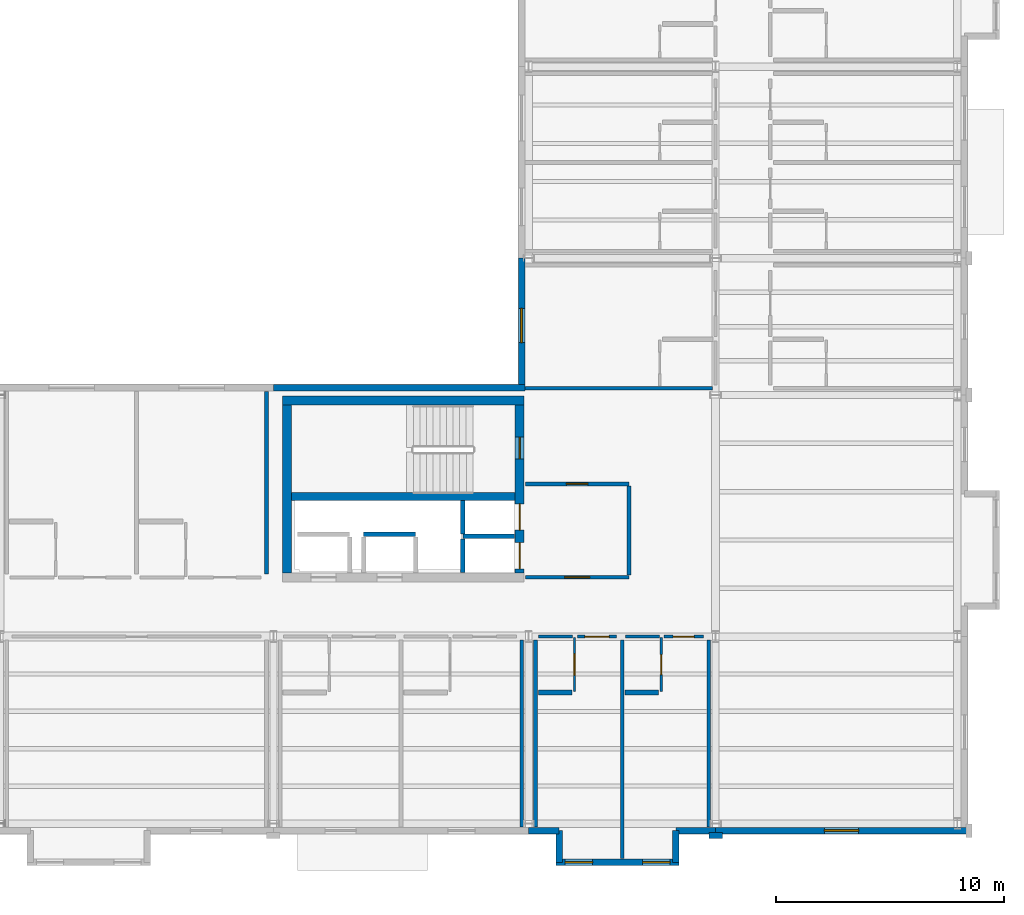
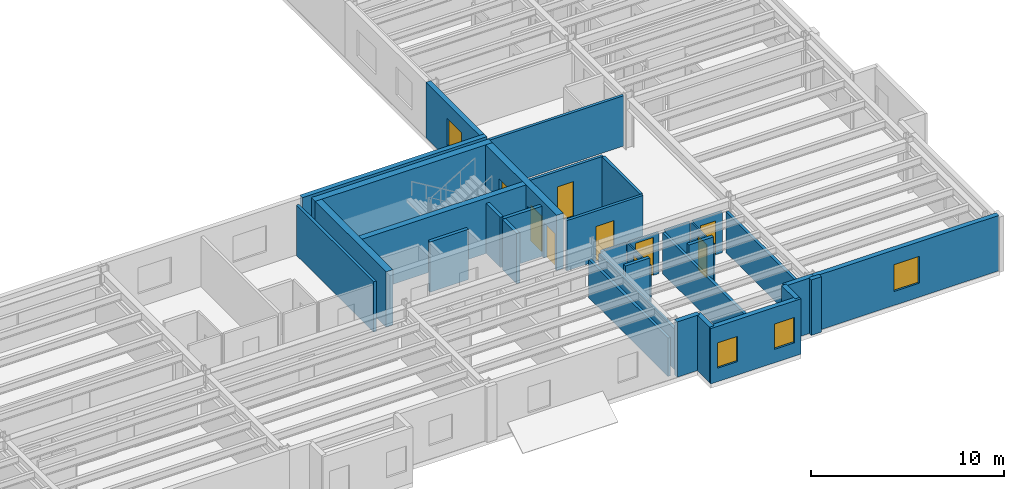
# One storey, part 9 of 17: 34 walls, 9 doors, 4 windows, 13 openings.
"""IFC4 building model written with IfcOpenShell, lengths in metres."""

from ifc_helpers import new_model, si_unit, direction, frame, frame_2d, origin, place, context, subcontext, project, spatial, rectangle, extrude, material, layer, layer_set, type_object, element, fill, save


model = new_model("IFC4")

# Units and contexts
model_context = context("Model", 3, precision=1e-05, world=origin(), true_north=direction((0.0, 1.0)))
body_context = subcontext(model_context, "Body", "Model", "MODEL_VIEW")
ifc_project = project(units=[si_unit("LENGTHUNIT", "METRE"), si_unit("AREAUNIT", "SQUARE_METRE"), si_unit("VOLUMEUNIT", "CUBIC_METRE"), si_unit("PLANEANGLEUNIT", "RADIAN"), si_unit("MASSUNIT", "GRAM", prefix="KILO")], contexts=[model_context])

# Site, building, storey
site_placement = place(None, origin())
site = spatial("IfcSite", under=ifc_project, at=site_placement, CompositionType="ELEMENT")
building_placement = place(site_placement, origin())
building = spatial("IfcBuilding", under=site, at=building_placement, Name="Sollismere Congress Hotel", CompositionType="ELEMENT")
storey_placement = place(building_placement, frame((0.0, 0.0, 41.10009765625)))
storey = spatial("IfcBuildingStorey", under=building, at=storey_placement, Name="L10", CompositionType="ELEMENT", Elevation=41.10009765625)

# Walls
ifc_material_1 = material(Name="Colorado Buff Sandstone Rainscreen on Insulated Backup", Category="masonry")
ifc_layer_1 = layer(ifc_material_1, 0.284912109375, Name="Colorado Buff Sandstone Rainscreen on Insulated Backup")
ifc_layer_set_1 = layer_set([ifc_layer_1], Name="Colorado Buff Sandstone Rainscreen on Insulated Backup")
wall_type_1 = type_object("IfcWallType", Name="WL-EXT285", PredefinedType="STANDARD", material=ifc_layer_set_1)
wall_1_placement = place(storey_placement, frame((147.199951171875, -0.31005859375, 0.0), z_axis=(0.0, 0.0, 1.0), x_axis=(1.0, 0.0, 0.0)))
element("IfcWall", 1, at=wall_1_placement, inside=storey, type_object=wall_type_1, Name="Exterior wall EW-L10-959", PredefinedType="STANDARD", context=body_context, shape_type="SweptSolid", body=[
    extrude(rectangle(XDim=1.340087890625, YDim=0.284912109375, at=frame_2d((0.669921875, 0.0))), origin(), (0.0, 0.0, 1.0), 3.5),
])
wall_2_placement = place(storey_placement, frame((153.659912109375, -0.31005859375, 0.0), z_axis=(0.0, 0.0, 1.0), x_axis=(1.0, 0.0, 0.0)))
element("IfcWall", 2, at=wall_2_placement, inside=storey, type_object=wall_type_1, Name="Exterior wall EW-L10-960", PredefinedType="STANDARD", context=body_context, shape_type="SweptSolid", body=[
    extrude(rectangle(XDim=1.739990234375, YDim=0.284912109375, at=frame_2d((0.8701171875, 0.0))), origin(), (0.0, 0.0, 1.0), 3.5),
])

# Wall, openings, windows
wall_3_placement = place(storey_placement, frame((148.39990234375, -1.699951171875, 0.0), z_axis=(0.0, 0.0, 1.0), x_axis=(1.0, 0.0, 0.0)))
wall_3 = element("IfcWall", 3, at=wall_3_placement, inside=storey, type_object=wall_type_1, Name="Exterior wall EW-L10-961", PredefinedType="STANDARD", context=body_context, shape_type="SweptSolid", body=[
    extrude(rectangle(XDim=5.400146484375, YDim=0.284912109375, at=frame_2d((2.7001953125, 0.0))), origin(), (0.0, 0.0, 1.0), 3.5),
])
opening_1_placement = place(wall_3_placement, frame((0.39990234375, 0.0, 0.85009765625)))
opening_1 = element("IfcOpeningElement", 4, at=opening_1_placement, cuts=wall_3, Name="Opening W-L10-687", PredefinedType="OPENING", context=body_context, shape_type="SweptSolid", body=[
    extrude(rectangle(XDim=1.199951171875, YDim=1.60009765625, at=frame_2d((0.60009765625, 0.800048828125))), frame((0.0, 0.15234375, 0.0), z_axis=(0.0, -1.0, 0.0), x_axis=(1.0, 0.0, 0.0)), (0.0, 0.0, 1.0), 0.304931640625),
])
opening_2_placement = place(wall_3_placement, frame((3.800048828125, 0.0, 0.85009765625)))
opening_2 = element("IfcOpeningElement", 5, at=opening_2_placement, cuts=wall_3, Name="Opening W-L10-688", PredefinedType="OPENING", context=body_context, shape_type="SweptSolid", body=[
    extrude(rectangle(XDim=1.199951171875, YDim=1.60009765625, at=frame_2d((0.60009765625, 0.800048828125))), frame((0.0, 0.15234375, 0.0), z_axis=(0.0, -1.0, 0.0), x_axis=(1.0, 0.0, 0.0)), (0.0, 0.0, 1.0), 0.304931640625),
])
ifc_material_2 = material(Name="Thermally Broken Bronze Aluminum & Low-E Glass", Category="aluminium")
window_type_1 = type_object("IfcWindowType", Name="WN-P120x160", PartitioningType="SINGLE_PANEL", PredefinedType="WINDOW", material=ifc_material_2)
window_1_placement = place(opening_1_placement, origin())
window_1 = element("IfcWindow", 6, at=window_1_placement, inside=storey, type_object=window_type_1, Name="WIN-W-L10-687", OverallHeight=1.60009765625, OverallWidth=1.199951171875, PartitioningType="SINGLE_PANEL", PredefinedType="WINDOW", context=body_context, shape_type="SweptSolid", body=[
    extrude(rectangle(XDim=1.199951171875, YDim=1.60009765625, at=frame_2d((0.60009765625, 0.800048828125))), frame((0.0, 0.030029296875, 0.0), z_axis=(0.0, -1.0, 0.0), x_axis=(1.0, 0.0, 0.0)), (0.0, 0.0, 1.0), 0.06005859375),
])
fill(opening_1, window_1)
window_2_placement = place(opening_2_placement, origin())
window_2 = element("IfcWindow", 7, at=window_2_placement, inside=storey, type_object=window_type_1, Name="WIN-W-L10-688", OverallHeight=1.60009765625, OverallWidth=1.199951171875, PartitioningType="SINGLE_PANEL", PredefinedType="WINDOW", context=body_context, shape_type="SweptSolid", body=[
    extrude(rectangle(XDim=1.199951171875, YDim=1.60009765625, at=frame_2d((0.60009765625, 0.800048828125))), frame((0.0, 0.030029296875, 0.0), z_axis=(0.0, -1.0, 0.0), x_axis=(1.0, 0.0, 0.0)), (0.0, 0.0, 1.0), 0.06005859375),
])
fill(opening_2, window_2)

# Walls
for number, where, z_axis, x_axis, name in (
    (8, (148.5400390625, -0.31005859375, 0.0), (0.0, 0.0, 1.0), (0.0, -1.0, 0.0), "Exterior wall EW-L10-962"),
    (9, (153.659912109375, -1.699951171875, 0.0), (0.0, 0.0, 1.0), (0.0, 1.0, 0.0), "Exterior wall EW-L10-963"),
):
    element("IfcWall", number, at=place(storey_placement, frame(where, z_axis=z_axis, x_axis=x_axis)), inside=storey, type_object=wall_type_1, Name=name, PredefinedType="STANDARD", context=body_context, shape_type="SweptSolid", body=[
        extrude(rectangle(XDim=1.389892578125, YDim=0.284912109375, at=frame_2d((0.69482421875, 0.0))), origin(), (0.0, 0.0, 1.0), 3.5),
    ])

# Wall, opening, window
wall_4_placement = place(storey_placement, frame((155.39990234375, -0.31005859375, 0.0), z_axis=(0.0, 0.0, 1.0), x_axis=(1.0, 0.0, 0.0)))
wall_4 = element("IfcWall", 10, at=wall_4_placement, inside=storey, type_object=wall_type_1, Name="Exterior wall EW-L10-964", PredefinedType="STANDARD", context=body_context, shape_type="SweptSolid", body=[
    extrude(rectangle(XDim=11.050048828125, YDim=0.284912109375, at=frame_2d((5.52490234375, 0.0))), origin(), (0.0, 0.0, 1.0), 3.5),
])
opening_3_placement = place(wall_4_placement, frame((4.77490234375, 0.0, 0.8798828125)))
opening_3 = element("IfcOpeningElement", 11, at=opening_3_placement, cuts=wall_4, Name="Opening W-L10-689", PredefinedType="OPENING", context=body_context, shape_type="SweptSolid", body=[
    extrude(rectangle(XDim=1.5, YDim=1.699951171875, at=frame_2d((0.75, 0.85009765625))), frame((0.0, 0.15234375, 0.0), z_axis=(0.0, -1.0, 0.0), x_axis=(1.0, 0.0, 0.0)), (0.0, 0.0, 1.0), 0.304931640625),
])
window_type_2 = type_object("IfcWindowType", Name="WN-P150x170", PartitioningType="SINGLE_PANEL", PredefinedType="WINDOW", material=ifc_material_2)
window_3_placement = place(opening_3_placement, origin())
window_3 = element("IfcWindow", 12, at=window_3_placement, inside=storey, type_object=window_type_2, Name="WIN-W-L10-689", OverallHeight=1.699951171875, OverallWidth=1.5, PartitioningType="SINGLE_PANEL", PredefinedType="WINDOW", context=body_context, shape_type="SweptSolid", body=[
    extrude(rectangle(XDim=1.5, YDim=1.699951171875, at=frame_2d((0.75, 0.85009765625))), frame((0.0, 0.030029296875, 0.0), z_axis=(0.0, -1.0, 0.0), x_axis=(1.0, 0.0, 0.0)), (0.0, 0.0, 1.0), 0.06005859375),
])
fill(opening_3, window_3)

# Wall
wall_5_placement = place(storey_placement, frame((147.030029296875, 19.110107421875, 0.0), z_axis=(0.0, 0.0, 1.0), x_axis=(-1.0, 0.0, 0.0)))
element("IfcWall", 13, at=wall_5_placement, inside=storey, type_object=wall_type_1, Name="Exterior wall EW-L10-989", PredefinedType="STANDARD", context=body_context, shape_type="SweptSolid", body=[
    extrude(rectangle(XDim=11.030029296875, YDim=0.284912109375, at=frame_2d((5.51513671875, 0.0))), origin(), (0.0, 0.0, 1.0), 3.5),
])

# Wall, opening, window
wall_6_placement = place(storey_placement, frame((146.889892578125, 19.25439453125, 0.0), z_axis=(0.0, 0.0, 1.0), x_axis=(0.0, 1.0, 0.0)))
wall_6 = element("IfcWall", 14, at=wall_6_placement, inside=storey, type_object=wall_type_1, Name="Exterior wall EW-L10-990", PredefinedType="STANDARD", context=body_context, shape_type="SweptSolid", body=[
    extrude(rectangle(XDim=5.545654296875, YDim=0.284912109375, at=frame_2d((2.77294921875, 0.0))), origin(), (0.0, 0.0, 1.0), 3.5),
])
opening_4_placement = place(wall_6_placement, frame((1.84765625, 0.0, 0.85009765625)))
opening_4 = element("IfcOpeningElement", 15, at=opening_4_placement, cuts=wall_6, Name="Opening W-L10-705", PredefinedType="OPENING", context=body_context, shape_type="SweptSolid", body=[
    extrude(rectangle(XDim=1.5, YDim=1.699951171875, at=frame_2d((0.75, 0.85009765625))), frame((0.0, 0.15234375, 0.0), z_axis=(0.0, -1.0, 0.0), x_axis=(1.0, 0.0, 0.0)), (0.0, 0.0, 1.0), 0.304931640625),
])
window_4_placement = place(opening_4_placement, origin())
window_4 = element("IfcWindow", 16, at=window_4_placement, inside=storey, type_object=window_type_2, Name="WIN-W-L10-705", OverallHeight=1.699951171875, OverallWidth=1.5, PartitioningType="SINGLE_PANEL", PredefinedType="WINDOW", context=body_context, shape_type="SweptSolid", body=[
    extrude(rectangle(XDim=1.5, YDim=1.699951171875, at=frame_2d((0.75, 0.85009765625))), frame((0.0, 0.030029296875, 0.0), z_axis=(0.0, -1.0, 0.0), x_axis=(1.0, 0.0, 0.0)), (0.0, 0.0, 1.0), 0.06005859375),
])
fill(opening_4, window_4)

# Walls
ifc_material_3 = material(Name="Carved Travertine Pilaster & Frieze Assembly", Category="masonry")
ifc_layer_2 = layer(ifc_material_3, 0.260009765625, Name="Carved Travertine Pilaster & Frieze Assembly")
ifc_layer_set_2 = layer_set([ifc_layer_2], Name="Carved Travertine Pilaster & Frieze Assembly")
wall_type_2 = type_object("IfcWallType", Name="WL-PIL280", PredefinedType="ELEMENTEDWALL", material=ifc_layer_set_2)
wall_7_placement = place(storey_placement, frame((155.10009765625, -0.52001953125, 0.0), z_axis=(0.0, 0.0, 1.0), x_axis=(1.0, 0.0, 0.0)))
element("IfcWall", 17, at=wall_7_placement, inside=storey, type_object=wall_type_2, Name="Exterior wall EW-L10-965", PredefinedType="ELEMENTEDWALL", context=body_context, shape_type="SweptSolid", body=[
    extrude(rectangle(XDim=0.599853515625, YDim=0.260009765625, at=frame_2d((0.2998046875, 0.0))), origin(), (0.0, 0.0, 1.0), 3.5),
])
ifc_material_4 = material(Name="Moisture-Resistant Shaft Gypsum Assembly")
ifc_layer_3 = layer(ifc_material_4, 0.199951171875, Name="Moisture-Resistant Shaft Gypsum Assembly")
ifc_layer_set_3 = layer_set([ifc_layer_3], Name="Moisture-Resistant Shaft Gypsum Assembly")
wall_type_3 = type_object("IfcWallType", Name="WL-PLM200", PredefinedType="PLUMBINGWALL", material=ifc_layer_set_3)
wall_8_placement = place(storey_placement, frame((139.955078125, 12.68994140625, 0.0), z_axis=(0.0, 0.0, 1.0), x_axis=(1.0, 0.0, 0.0)))
element("IfcWall", 18, at=wall_8_placement, inside=storey, type_object=wall_type_3, Name="Interior wall IW-L10-0184", PredefinedType="PLUMBINGWALL", context=body_context, shape_type="SweptSolid", body=[
    extrude(rectangle(XDim=2.2900390625, YDim=0.199951171875, at=frame_2d((1.14501953125, 0.0))), origin(), (0.0, 0.0, 1.0), 3.179931640625),
])
wall_9_placement = place(storey_placement, frame((144.31005859375, 12.594970703125, 0.0), z_axis=(0.0, 0.0, 1.0), x_axis=(1.0, 0.0, 0.0)))
element("IfcWall", 19, at=wall_9_placement, inside=storey, type_object=wall_type_3, Name="Interior wall IW-L10-0187", PredefinedType="PLUMBINGWALL", context=body_context, shape_type="SweptSolid", body=[
    extrude(rectangle(XDim=2.27783203125, YDim=0.199951171875, at=frame_2d((1.138916015625, 0.0))), origin(), (0.0, 0.0, 1.0), 3.179931640625),
])
wall_10_placement = place(storey_placement, frame((144.31005859375, 11.011962890625, 0.0), z_axis=(0.0, 0.0, 1.0), x_axis=(0.0, 1.0, 0.0)))
element("IfcWall", 20, at=wall_10_placement, inside=storey, type_object=wall_type_3, Name="Interior wall IW-L10-0188", PredefinedType="PLUMBINGWALL", context=body_context, shape_type="SweptSolid", body=[
    extrude(rectangle(XDim=1.470947265625, YDim=0.199951171875, at=frame_2d((0.7353515625, 0.0))), origin(), (0.0, 0.0, 1.0), 3.179931640625),
])
wall_11_placement = place(storey_placement, frame((144.31005859375, 12.70703125, 0.0), z_axis=(0.0, 0.0, 1.0), x_axis=(0.0, 1.0, 0.0)))
element("IfcWall", 21, at=wall_11_placement, inside=storey, type_object=wall_type_3, Name="Interior wall IW-L10-0189", PredefinedType="PLUMBINGWALL", context=body_context, shape_type="SweptSolid", body=[
    extrude(rectangle(XDim=1.4560546875, YDim=0.199951171875, at=frame_2d((0.72802734375, 0.0))), origin(), (0.0, 0.0, 1.0), 3.179931640625),
])
for number, where, z_axis, x_axis, name in (
    (22, (147.6201171875, 5.75, 0.0), (0.0, 0.0, 1.0), (1.0, 0.0, 0.0), "Interior wall IW-L10-2805"),
    (23, (151.419921875, 5.75, 0.0), (0.0, 0.0, 1.0), (1.0, 0.0, 0.0), "Interior wall IW-L10-2810"),
):
    element("IfcWall", number, at=place(storey_placement, frame(where, z_axis=z_axis, x_axis=x_axis)), inside=storey, type_object=wall_type_3, Name=name, PredefinedType="PLUMBINGWALL", context=body_context, shape_type="SweptSolid", body=[
        extrude(rectangle(XDim=1.469970703125, YDim=0.199951171875, at=frame_2d((0.73486328125, 0.0))), origin(), (0.0, 0.0, 1.0), 3.179931640625),
    ])

# Wall, opening, door
ifc_material_5 = material(Name="Moisture-Resistant Gypsum Partition")
ifc_layer_4 = layer(ifc_material_5, 0.10009765625, Name="Moisture-Resistant Gypsum Partition")
ifc_layer_set_4 = layer_set([ifc_layer_4], Name="Moisture-Resistant Gypsum Partition")
wall_type_4 = type_object("IfcWallType", Name="WL-PRT100", PredefinedType="PARTITIONING", material=ifc_layer_set_4)
wall_12_placement = place(storey_placement, frame((149.2099609375, 5.7900390625, 0.0), z_axis=(0.0, 0.0, 1.0), x_axis=(0.0, 1.0, 0.0)))
wall_12 = element("IfcWall", 24, at=wall_12_placement, inside=storey, type_object=wall_type_4, Name="Interior wall IW-L10-2804", PredefinedType="PARTITIONING", context=body_context, shape_type="SweptSolid", body=[
    extrude(rectangle(XDim=2.369873046875, YDim=0.10009765625, at=frame_2d((1.18505859375, 0.0))), origin(), (0.0, 0.0, 1.0), 2.593017578125),
])
opening_5_placement = place(wall_12_placement, frame((0.7080078125, 0.0, 0.0)))
opening_5 = element("IfcOpeningElement", 25, at=opening_5_placement, cuts=wall_12, Name="Opening D-L10-0991", PredefinedType="OPENING", context=body_context, shape_type="SweptSolid", body=[
    extrude(rectangle(XDim=0.955078125, YDim=2.219970703125, at=frame_2d((0.4775390625, 1.10986328125))), frame((0.0, 0.06005859375, 0.0), z_axis=(0.0, -1.0, 0.0), x_axis=(1.0, 0.0, 0.0)), (0.0, 0.0, 1.0), 0.1201171875),
])
ifc_material_6 = material(Name="Moisture-Sealed Timber Bathroom Door", Category="wood")
door_type_1 = type_object("IfcDoorType", Name="DR-BT08", OperationType="NOTDEFINED", PredefinedType="DOOR", material=ifc_material_6)
door_1_placement = place(opening_5_placement, origin())
door_1 = element("IfcDoor", 26, at=door_1_placement, inside=storey, type_object=door_type_1, Name="En-suite bathroom door D-L10-0991", OperationType="SINGLE_SWING_RIGHT", OverallHeight=2.219970703125, OverallWidth=0.955078125, PredefinedType="DOOR", context=body_context, shape_type="SweptSolid", body=[
    extrude(rectangle(XDim=0.955078125, YDim=2.219970703125, at=frame_2d((0.4775390625, 1.10986328125))), frame((0.0, 0.02490234375, 0.0), z_axis=(0.0, -1.0, 0.0), x_axis=(1.0, 0.0, 0.0)), (0.0, 0.0, 1.0), 0.050048828125),
])
fill(opening_5, door_1)

wall_13_placement = place(storey_placement, frame((153.010009765625, 5.7900390625, 0.0), z_axis=(0.0, 0.0, 1.0), x_axis=(0.0, 1.0, 0.0)))
wall_13 = element("IfcWall", 27, at=wall_13_placement, inside=storey, type_object=wall_type_4, Name="Interior wall IW-L10-2809", PredefinedType="PARTITIONING", context=body_context, shape_type="SweptSolid", body=[
    extrude(rectangle(XDim=2.369873046875, YDim=0.10009765625, at=frame_2d((1.18505859375, 0.0))), origin(), (0.0, 0.0, 1.0), 2.593017578125),
])
opening_6_placement = place(wall_13_placement, frame((0.7451171875, 0.0, 0.0)))
opening_6 = element("IfcOpeningElement", 28, at=opening_6_placement, cuts=wall_13, Name="Opening D-L10-0993", PredefinedType="OPENING", context=body_context, shape_type="SweptSolid", body=[
    extrude(rectangle(XDim=0.8798828125, YDim=2.10009765625, at=frame_2d((0.43994140625, 1.050048828125))), frame((0.0, 0.06005859375, 0.0), z_axis=(0.0, -1.0, 0.0), x_axis=(1.0, 0.0, 0.0)), (0.0, 0.0, 1.0), 0.1201171875),
])
door_type_2 = type_object("IfcDoorType", Name="DR-BT01", OperationType="NOTDEFINED", PredefinedType="DOOR", material=ifc_material_6)
door_2_placement = place(opening_6_placement, origin())
door_2 = element("IfcDoor", 29, at=door_2_placement, inside=storey, type_object=door_type_2, Name="En-suite bathroom door D-L10-0993", OperationType="SINGLE_SWING_RIGHT", OverallHeight=2.10009765625, OverallWidth=0.8798828125, PredefinedType="DOOR", context=body_context, shape_type="SweptSolid", body=[
    extrude(rectangle(XDim=0.8798828125, YDim=2.10009765625, at=frame_2d((0.43994140625, 1.050048828125))), frame((0.0, 0.02490234375, 0.0), z_axis=(0.0, -1.0, 0.0), x_axis=(1.0, 0.0, 0.0)), (0.0, 0.0, 1.0), 0.050048828125),
])
fill(opening_6, door_2)

# Wall
ifc_material_7 = material(Name="Fire-Rated Gypsum Partition")
ifc_layer_5 = layer(ifc_material_7, 0.139892578125, Name="Fire-Rated Gypsum Partition")
ifc_layer_set_5 = layer_set([ifc_layer_5], Name="Fire-Rated Gypsum Partition")
wall_type_5 = type_object("IfcWallType", Name="WL-PRT140R", PredefinedType="PARTITIONING", material=ifc_layer_set_5)
wall_14_placement = place(storey_placement, frame((147.639892578125, 8.199951171875, 0.0), z_axis=(0.0, 0.0, 1.0), x_axis=(1.0, 0.0, 0.0)))
element("IfcWall", 30, at=wall_14_placement, inside=storey, type_object=wall_type_5, Name="Interior wall IW-L10-2800", PredefinedType="PARTITIONING", context=body_context, shape_type="SweptSolid", body=[
    extrude(rectangle(XDim=1.489990234375, YDim=0.139892578125, at=frame_2d((0.7451171875, 0.0))), origin(), (0.0, 0.0, 1.0), 2.593017578125),
])

# Wall, opening, door
wall_15_placement = place(storey_placement, frame((149.330078125, 8.199951171875, 0.0), z_axis=(0.0, 0.0, 1.0), x_axis=(1.0, 0.0, 0.0)))
wall_15 = element("IfcWall", 31, at=wall_15_placement, inside=storey, type_object=wall_type_5, Name="Interior wall IW-L10-2801", PredefinedType="PARTITIONING", context=body_context, shape_type="SweptSolid", body=[
    extrude(rectangle(XDim=1.72998046875, YDim=0.139892578125, at=frame_2d((0.864990234375, 0.0))), origin(), (0.0, 0.0, 1.0), 2.593017578125),
])
opening_7_placement = place(wall_15_placement, frame((0.330078125, 0.0, 0.0)))
opening_7 = element("IfcOpeningElement", 32, at=opening_7_placement, cuts=wall_15, Name="Opening D-L10-0990", PredefinedType="OPENING", context=body_context, shape_type="SweptSolid", body=[
    extrude(rectangle(XDim=1.070068359375, YDim=2.39990234375, at=frame_2d((0.53515625, 1.199951171875))), frame((0.0, 0.079833984375, 0.0), z_axis=(0.0, -1.0, 0.0), x_axis=(1.0, 0.0, 0.0)), (0.0, 0.0, 1.0), 0.159912109375),
])
ifc_material_8 = material(Name="Solid-Core Acoustic Walnut Guestroom Entry Door")
door_type_3 = type_object("IfcDoorType", Name="DR-KY12", OperationType="NOTDEFINED", PredefinedType="DOOR", material=ifc_material_8)
door_3_placement = place(opening_7_placement, origin())
door_3 = element("IfcDoor", 33, at=door_3_placement, inside=storey, type_object=door_type_3, Name="Hotel room entry door D-L10-0990", OperationType="SINGLE_SWING_LEFT", OverallHeight=2.39990234375, OverallWidth=1.070068359375, PredefinedType="DOOR", context=body_context, shape_type="SweptSolid", body=[
    extrude(rectangle(XDim=1.070068359375, YDim=2.39990234375, at=frame_2d((0.53515625, 1.199951171875))), frame((0.0, 0.02490234375, 0.0), z_axis=(0.0, -1.0, 0.0), x_axis=(1.0, 0.0, 0.0)), (0.0, 0.0, 1.0), 0.050048828125),
])
fill(opening_7, door_3)

# Wall
wall_16_placement = place(storey_placement, frame((151.43994140625, 8.199951171875, 0.0), z_axis=(0.0, 0.0, 1.0), x_axis=(1.0, 0.0, 0.0)))
element("IfcWall", 34, at=wall_16_placement, inside=storey, type_object=wall_type_5, Name="Interior wall IW-L10-2806", PredefinedType="PARTITIONING", context=body_context, shape_type="SweptSolid", body=[
    extrude(rectangle(XDim=1.489990234375, YDim=0.139892578125, at=frame_2d((0.7451171875, 0.0))), origin(), (0.0, 0.0, 1.0), 2.593017578125),
])

# Wall, opening, door
wall_17_placement = place(storey_placement, frame((153.1298828125, 8.199951171875, 0.0), z_axis=(0.0, 0.0, 1.0), x_axis=(1.0, 0.0, 0.0)))
wall_17 = element("IfcWall", 35, at=wall_17_placement, inside=storey, type_object=wall_type_5, Name="Interior wall IW-L10-2807", PredefinedType="PARTITIONING", context=body_context, shape_type="SweptSolid", body=[
    extrude(rectangle(XDim=1.730224609375, YDim=0.139892578125, at=frame_2d((0.865234375, 0.0))), origin(), (0.0, 0.0, 1.0), 2.593017578125),
])
opening_8_placement = place(wall_17_placement, frame((0.405029296875, 0.0, 0.0)))
opening_8 = element("IfcOpeningElement", 36, at=opening_8_placement, cuts=wall_17, Name="Opening D-L10-0992", PredefinedType="OPENING", context=body_context, shape_type="SweptSolid", body=[
    extrude(rectangle(XDim=0.919921875, YDim=2.14990234375, at=frame_2d((0.4599609375, 1.074951171875))), frame((0.0, 0.079833984375, 0.0), z_axis=(0.0, -1.0, 0.0), x_axis=(1.0, 0.0, 0.0)), (0.0, 0.0, 1.0), 0.159912109375),
])
door_type_4 = type_object("IfcDoorType", Name="DR-KY01", OperationType="NOTDEFINED", PredefinedType="DOOR", material=ifc_material_8)
door_4_placement = place(opening_8_placement, origin())
door_4 = element("IfcDoor", 37, at=door_4_placement, inside=storey, type_object=door_type_4, Name="Hotel room entry door D-L10-0992", OperationType="SINGLE_SWING_LEFT", OverallHeight=2.14990234375, OverallWidth=0.919921875, PredefinedType="DOOR", context=body_context, shape_type="SweptSolid", body=[
    extrude(rectangle(XDim=0.919921875, YDim=2.14990234375, at=frame_2d((0.4599609375, 1.074951171875))), frame((0.0, 0.02490234375, 0.0), z_axis=(0.0, -1.0, 0.0), x_axis=(1.0, 0.0, 0.0)), (0.0, 0.0, 1.0), 0.050048828125),
])
fill(opening_8, door_4)

ifc_material_9 = material(Name="Fire-Rated Acoustic Gypsum Partition")
ifc_layer_6 = layer(ifc_material_9, 0.1650390625, Name="Fire-Rated Acoustic Gypsum Partition")
ifc_layer_set_6 = layer_set([ifc_layer_6], Name="Fire-Rated Acoustic Gypsum Partition")
wall_type_6 = type_object("IfcWallType", Name="WL-PRT165R", PredefinedType="PARTITIONING", material=ifc_layer_set_6)
wall_18_placement = place(storey_placement, frame((147.050048828125, 10.800048828125, 0.0), z_axis=(0.0, 0.0, 1.0), x_axis=(1.0, 0.0, 0.0)))
wall_18 = element("IfcWall", 38, at=wall_18_placement, inside=storey, type_object=wall_type_6, Name="Interior wall IW-L10-0190", PredefinedType="PARTITIONING", context=body_context, shape_type="SweptSolid", body=[
    extrude(rectangle(XDim=4.550048828125, YDim=0.1650390625, at=frame_2d((2.27490234375, 0.0))), origin(), (0.0, 0.0, 1.0), 3.179931640625),
])
opening_9_placement = place(wall_18_placement, frame((1.72509765625, 0.0, 0.0)))
opening_9 = element("IfcOpeningElement", 39, at=opening_9_placement, cuts=wall_18, Name="Opening D-FFL-L10", PredefinedType="OPENING", context=body_context, shape_type="SweptSolid", body=[
    extrude(rectangle(XDim=1.10009765625, YDim=2.199951171875, at=frame_2d((0.550048828125, 1.10009765625))), frame((0.0, 0.092529296875, 0.0), z_axis=(0.0, -1.0, 0.0), x_axis=(1.0, 0.0, 0.0)), (0.0, 0.0, 1.0), 0.18505859375),
])
ifc_material_10 = material(Name="Smoke-Barrier Rated Timber-Clad Steel Door", Category="steel")
door_type_5 = type_object("IfcDoorType", Name="DR-FFL110", OperationType="NOTDEFINED", PredefinedType="DOOR", material=ifc_material_10)
door_5_placement = place(opening_9_placement, origin())
door_5 = element("IfcDoor", 40, at=door_5_placement, inside=storey, type_object=door_type_5, Name="Firefighting lobby smoke door D-FFL-L10", OperationType="SINGLE_SWING_LEFT", OverallHeight=2.199951171875, OverallWidth=1.10009765625, PredefinedType="DOOR", context=body_context, shape_type="SweptSolid", body=[
    extrude(rectangle(XDim=1.10009765625, YDim=2.199951171875, at=frame_2d((0.550048828125, 1.10009765625))), frame((0.0, 0.02490234375, 0.0), z_axis=(0.0, -1.0, 0.0), x_axis=(1.0, 0.0, 0.0)), (0.0, 0.0, 1.0), 0.050048828125),
])
fill(opening_9, door_5)

wall_19_placement = place(storey_placement, frame((147.050048828125, 14.89990234375, 0.0), z_axis=(0.0, 0.0, 1.0), x_axis=(1.0, 0.0, 0.0)))
wall_19 = element("IfcWall", 41, at=wall_19_placement, inside=storey, type_object=wall_type_6, Name="Interior wall IW-L10-0191", PredefinedType="PARTITIONING", context=body_context, shape_type="SweptSolid", body=[
    extrude(rectangle(XDim=4.550048828125, YDim=0.1650390625, at=frame_2d((2.27490234375, 0.0))), origin(), (0.0, 0.0, 1.0), 3.179931640625),
])
opening_10_placement = place(wall_19_placement, frame((1.800048828125, 0.0, 0.0)))
opening_10 = element("IfcOpeningElement", 42, at=opening_10_placement, cuts=wall_19, Name="Opening D-FFS-L10", PredefinedType="OPENING", context=body_context, shape_type="SweptSolid", body=[
    extrude(rectangle(XDim=0.949951171875, YDim=2.199951171875, at=frame_2d((0.47509765625, 1.10009765625))), frame((0.0, 0.092529296875, 0.0), z_axis=(0.0, -1.0, 0.0), x_axis=(1.0, 0.0, 0.0)), (0.0, 0.0, 1.0), 0.18505859375),
])
ifc_material_11 = material(Name="Fire-Rated Insulated Steel Door", Category="steel")
door_type_6 = type_object("IfcDoorType", Name="DR-FD90", OperationType="NOTDEFINED", PredefinedType="DOOR", material=ifc_material_11)
door_6_placement = place(opening_10_placement, origin())
door_6 = element("IfcDoor", 43, at=door_6_placement, inside=storey, type_object=door_type_6, Name="Firefighting stair vestibule door D-FFS-L10", OperationType="SINGLE_SWING_RIGHT", OverallHeight=2.199951171875, OverallWidth=0.949951171875, PredefinedType="DOOR", context=body_context, shape_type="SweptSolid", body=[
    extrude(rectangle(XDim=0.949951171875, YDim=2.199951171875, at=frame_2d((0.47509765625, 1.10009765625))), frame((0.0, 0.02490234375, 0.0), z_axis=(0.0, -1.0, 0.0), x_axis=(1.0, 0.0, 0.0)), (0.0, 0.0, 1.0), 0.050048828125),
])
fill(opening_10, door_6)

# Walls
wall_20_placement = place(storey_placement, frame((151.60009765625, 10.89453125, 0.0), z_axis=(0.0, 0.0, 1.0), x_axis=(0.0, 1.0, 0.0)))
element("IfcWall", 44, at=wall_20_placement, inside=storey, type_object=wall_type_6, Name="Interior wall IW-L10-0192", PredefinedType="PARTITIONING", context=body_context, shape_type="SweptSolid", body=[
    extrude(rectangle(XDim=3.910888671875, YDim=0.1650390625, at=frame_2d((1.95556640625, 0.0))), origin(), (0.0, 0.0, 1.0), 3.179931640625),
])
wall_21_placement = place(storey_placement, frame((135.699951171875, 10.93994140625, 0.0), z_axis=(0.0, 0.0, 1.0), x_axis=(0.0, 1.0, 0.0)))
element("IfcWall", 45, at=wall_21_placement, inside=storey, type_object=wall_type_6, Name="Interior wall IW-L10-2786", PredefinedType="PARTITIONING", context=body_context, shape_type="SweptSolid", body=[
    extrude(rectangle(XDim=8.012451171875, YDim=0.1650390625, at=frame_2d((4.00634765625, 0.0))), origin(), (0.0, 0.0, 1.0), 3.179931640625),
])
wall_22_placement = place(storey_placement, frame((146.89990234375, -0.152587890625, 0.0), z_axis=(0.0, 0.0, 1.0), x_axis=(0.0, 1.0, 0.0)))
element("IfcWall", 46, at=wall_22_placement, inside=storey, type_object=wall_type_6, Name="Interior wall IW-L10-2797", PredefinedType="PARTITIONING", context=body_context, shape_type="SweptSolid", body=[
    extrude(rectangle(XDim=8.212646484375, YDim=0.1650390625, at=frame_2d((4.1064453125, 0.0))), origin(), (0.0, 0.0, 1.0), 2.41796875),
])
wall_23_placement = place(storey_placement, frame((147.5, -0.152587890625, 0.0), z_axis=(0.0, 0.0, 1.0), x_axis=(0.0, 1.0, 0.0)))
element("IfcWall", 47, at=wall_23_placement, inside=storey, type_object=wall_type_6, Name="Interior wall IW-L10-2802", PredefinedType="PARTITIONING", context=body_context, shape_type="SweptSolid", body=[
    extrude(rectangle(XDim=8.212646484375, YDim=0.1650390625, at=frame_2d((4.1064453125, 0.0))), origin(), (0.0, 0.0, 1.0), 2.56982421875),
])
wall_24_placement = place(storey_placement, frame((151.300048828125, -1.54248046875, 0.0), z_axis=(0.0, 0.0, 1.0), x_axis=(0.0, 1.0, 0.0)))
element("IfcWall", 48, at=wall_24_placement, inside=storey, type_object=wall_type_6, Name="Interior wall IW-L10-2803", PredefinedType="PARTITIONING", context=body_context, shape_type="SweptSolid", body=[
    extrude(rectangle(XDim=9.6025390625, YDim=0.1650390625, at=frame_2d((4.80126953125, 0.0))), origin(), (0.0, 0.0, 1.0), 2.56982421875),
])
wall_25_placement = place(storey_placement, frame((155.10009765625, -0.152587890625, 0.0), z_axis=(0.0, 0.0, 1.0), x_axis=(0.0, 1.0, 0.0)))
element("IfcWall", 49, at=wall_25_placement, inside=storey, type_object=wall_type_6, Name="Interior wall IW-L10-2808", PredefinedType="PARTITIONING", context=body_context, shape_type="SweptSolid", body=[
    extrude(rectangle(XDim=8.212646484375, YDim=0.1650390625, at=frame_2d((4.1064453125, 0.0))), origin(), (0.0, 0.0, 1.0), 2.56982421875),
])
wall_26_placement = place(storey_placement, frame((147.0400390625, 19.10009765625, 0.0), z_axis=(0.0, 0.0, 1.0), x_axis=(1.0, 0.0, 0.0)))
element("IfcWall", 50, at=wall_26_placement, inside=storey, type_object=wall_type_6, Name="Interior wall IW-L10-2819", PredefinedType="PARTITIONING", context=body_context, shape_type="SweptSolid", body=[
    extrude(rectangle(XDim=8.219970703125, YDim=0.1650390625, at=frame_2d((4.10986328125, 0.0))), origin(), (0.0, 0.0, 1.0), 3.179931640625),
])
ifc_material_12 = material(Name="Concrete C50/60", Category="concrete")
ifc_layer_7 = layer(ifc_material_12, 0.35009765625, Name="Concrete C50/60")
ifc_layer_set_7 = layer_set([ifc_layer_7], Name="Concrete C50/60")
wall_type_7 = type_object("IfcWallType", Name="WL-SHR350", PredefinedType="SHEAR", material=ifc_layer_set_7)
wall_27_placement = place(storey_placement, frame((136.800048828125, 14.35009765625, 0.0), z_axis=(0.0, 0.0, 1.0), x_axis=(1.0, 0.0, 0.0)))
element("IfcWall", 51, at=wall_27_placement, inside=storey, type_object=wall_type_7, Name="Interior wall IW-L10-0181", PredefinedType="SHEAR", context=body_context, shape_type="SweptSolid", body=[
    extrude(rectangle(XDim=9.800048828125, YDim=0.35009765625, at=frame_2d((4.89990234375, 0.0))), origin(), (0.0, 0.0, 1.0), 3.5),
])
ifc_layer_8 = layer(ifc_material_12, 0.39990234375, Name="Concrete C50/60")
ifc_layer_set_8 = layer_set([ifc_layer_8], Name="Concrete C50/60")
wall_type_8 = type_object("IfcWallType", Name="WL-SHR400", PredefinedType="SHEAR", material=ifc_layer_set_8)
wall_28_placement = place(storey_placement, frame((147.0, 18.550048828125, 0.0), z_axis=(0.0, 0.0, 1.0), x_axis=(-1.0, 0.0, 0.0)))
element("IfcWall", 52, at=wall_28_placement, inside=storey, type_object=wall_type_8, Name="Interior wall IW-L10-0178", PredefinedType="SHEAR", context=body_context, shape_type="SweptSolid", body=[
    extrude(rectangle(XDim=10.60009765625, YDim=0.39990234375, at=frame_2d((5.300048828125, 0.0))), origin(), (0.0, 0.0, 1.0), 3.5),
])
wall_29_placement = place(storey_placement, frame((136.60009765625, 18.35009765625, 0.0), z_axis=(0.0, 0.0, 1.0), x_axis=(0.0, -1.0, 0.0)))
element("IfcWall", 53, at=wall_29_placement, inside=storey, type_object=wall_type_8, Name="Interior wall IW-L10-0179", PredefinedType="SHEAR", context=body_context, shape_type="SweptSolid", body=[
    extrude(rectangle(XDim=7.35009765625, YDim=0.39990234375, at=frame_2d((3.675048828125, 0.0))), origin(), (0.0, 0.0, 1.0), 3.5),
])

# Wall, openings, doors
wall_30_placement = place(storey_placement, frame((146.800048828125, 11.0, 0.0), z_axis=(0.0, 0.0, 1.0), x_axis=(0.0, 1.0, 0.0)))
wall_30 = element("IfcWall", 54, at=wall_30_placement, inside=storey, type_object=wall_type_8, Name="Interior wall IW-L10-0180", PredefinedType="SHEAR", context=body_context, shape_type="SweptSolid", body=[
    extrude(rectangle(XDim=7.35009765625, YDim=0.39990234375, at=frame_2d((3.675048828125, 0.0))), origin(), (0.0, 0.0, 1.0), 3.5),
])
opening_11_placement = place(wall_30_placement, frame((5.0, 0.0, 0.0)))
opening_11 = element("IfcOpeningElement", 55, at=opening_11_placement, cuts=wall_30, Name="Opening D-ST-01-L10", PredefinedType="OPENING", context=body_context, shape_type="SweptSolid", body=[
    extrude(rectangle(XDim=0.949951171875, YDim=2.199951171875, at=frame_2d((0.47509765625, 1.10009765625))), frame((0.0, 0.2099609375, 0.0), z_axis=(0.0, -1.0, 0.0), x_axis=(1.0, 0.0, 0.0)), (0.0, 0.0, 1.0), 0.419921875),
])
opening_12_placement = place(wall_30_placement, frame((0.175048828125, 0.0, 0.0)))
opening_12 = element("IfcOpeningElement", 56, at=opening_12_placement, cuts=wall_30, Name="Opening LD-FL-01-L10", PredefinedType="OPENING", context=body_context, shape_type="SweptSolid", body=[
    extrude(rectangle(XDim=1.14990234375, YDim=2.25, at=frame_2d((0.574951171875, 1.125))), frame((0.0, 0.2099609375, 0.0), z_axis=(0.0, -1.0, 0.0), x_axis=(1.0, 0.0, 0.0)), (0.0, 0.0, 1.0), 0.419921875),
])
opening_13_placement = place(wall_30_placement, frame((1.875, 0.0, 0.0)))
opening_13 = element("IfcOpeningElement", 57, at=opening_13_placement, cuts=wall_30, Name="Opening LD-FL-02-L10", PredefinedType="OPENING", context=body_context, shape_type="SweptSolid", body=[
    extrude(rectangle(XDim=1.14990234375, YDim=2.25, at=frame_2d((0.574951171875, 1.125))), frame((0.0, 0.2099609375, 0.0), z_axis=(0.0, -1.0, 0.0), x_axis=(1.0, 0.0, 0.0)), (0.0, 0.0, 1.0), 0.419921875),
])
door_7_placement = place(opening_11_placement, origin())
door_7 = element("IfcDoor", 58, at=door_7_placement, inside=storey, type_object=door_type_6, Name="Exit stair fire door D-ST-01-L10", OperationType="SINGLE_SWING_RIGHT", OverallHeight=2.199951171875, OverallWidth=0.949951171875, PredefinedType="DOOR", context=body_context, shape_type="SweptSolid", body=[
    extrude(rectangle(XDim=0.949951171875, YDim=2.199951171875, at=frame_2d((0.47509765625, 1.10009765625))), frame((0.0, 0.02490234375, 0.0), z_axis=(0.0, -1.0, 0.0), x_axis=(1.0, 0.0, 0.0)), (0.0, 0.0, 1.0), 0.050048828125),
])
fill(opening_11, door_7)
ifc_material_13 = material(Name="Stainless Steel Sliding Elevator Landing Door", Category="steel")
door_type_7 = type_object("IfcDoorType", Name="DR-LD115", OperationType="NOTDEFINED", PredefinedType="DOOR", material=ifc_material_13)
door_8_placement = place(opening_12_placement, origin())
door_8 = element("IfcDoor", 59, at=door_8_placement, inside=storey, type_object=door_type_7, Name="Elevator landing door LD-FL-01-L10", OperationType="SLIDING_TO_LEFT", OverallHeight=2.25, OverallWidth=1.14990234375, PredefinedType="DOOR", context=body_context, shape_type="SweptSolid", body=[
    extrude(rectangle(XDim=1.14990234375, YDim=2.25, at=frame_2d((0.574951171875, 1.125))), frame((0.0, 0.02490234375, 0.0), z_axis=(0.0, -1.0, 0.0), x_axis=(1.0, 0.0, 0.0)), (0.0, 0.0, 1.0), 0.050048828125),
])
fill(opening_12, door_8)
door_9_placement = place(opening_13_placement, origin())
door_9 = element("IfcDoor", 60, at=door_9_placement, inside=storey, type_object=door_type_7, Name="Elevator landing door LD-FL-02-L10", OperationType="SLIDING_TO_RIGHT", OverallHeight=2.25, OverallWidth=1.14990234375, PredefinedType="DOOR", context=body_context, shape_type="SweptSolid", body=[
    extrude(rectangle(XDim=1.14990234375, YDim=2.25, at=frame_2d((0.574951171875, 1.125))), frame((0.0, 0.02490234375, 0.0), z_axis=(0.0, -1.0, 0.0), x_axis=(1.0, 0.0, 0.0)), (0.0, 0.0, 1.0), 0.050048828125),
])
fill(opening_13, door_9)

save(model, "model.ifc")
